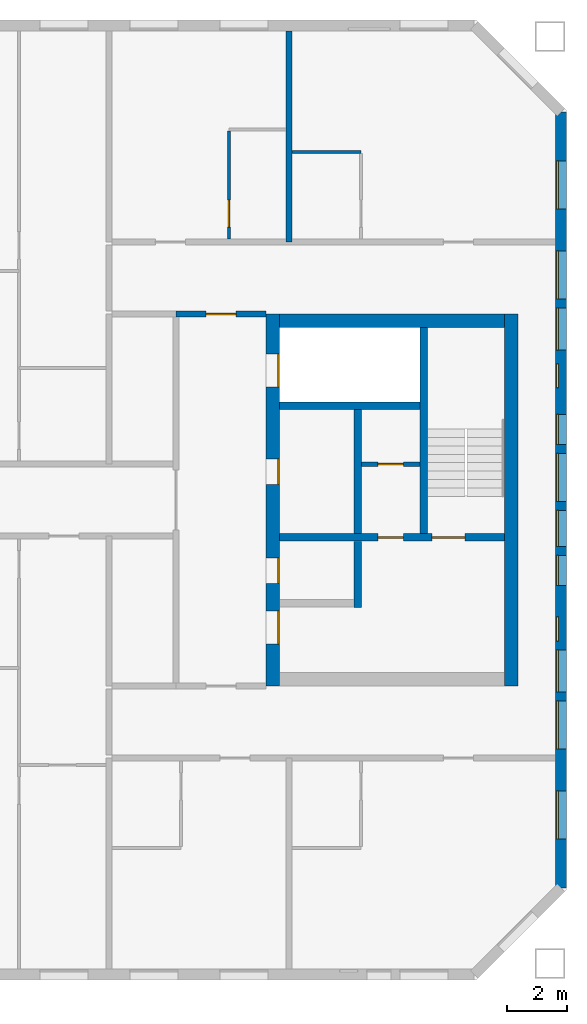
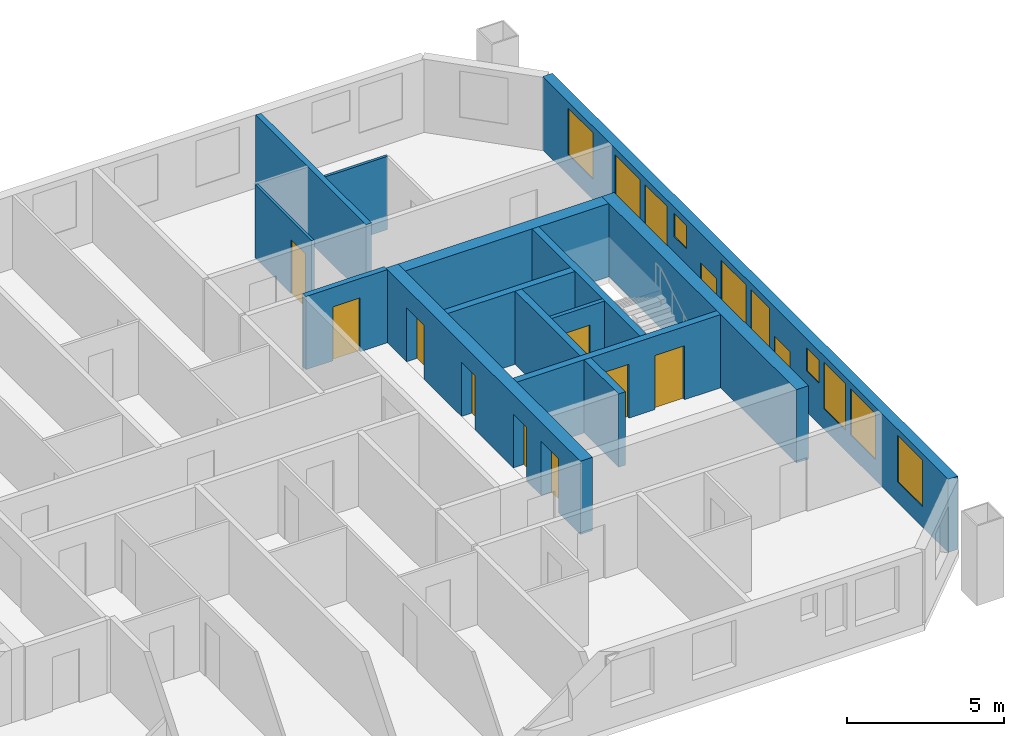
# One storey, part 13 of 16: 14 walls, 12 windows, 9 doors, 21 openings.
"""IFC4 building model written with IfcOpenShell, lengths in metres."""

from ifc_helpers import new_model, si_unit, direction, frame, frame_2d, origin, place, context, subcontext, project, spatial, rectangle, extrude, material, layer, layer_set, type_object, element, fill, save


model = new_model("IFC4")

# Units and contexts
model_context = context("Model", 3, precision=1e-05, world=origin(), true_north=direction((0.0, 1.0)))
body_context = subcontext(model_context, "Body", "Model", "MODEL_VIEW")
ifc_project = project(units=[si_unit("LENGTHUNIT", "METRE"), si_unit("AREAUNIT", "SQUARE_METRE"), si_unit("VOLUMEUNIT", "CUBIC_METRE"), si_unit("PLANEANGLEUNIT", "RADIAN"), si_unit("MASSUNIT", "GRAM", prefix="KILO")], contexts=[model_context])

# Site, building, storey
site_placement = place(None, origin())
site = spatial("IfcSite", under=ifc_project, at=site_placement, CompositionType="ELEMENT")
building_placement = place(site_placement, origin())
building = spatial("IfcBuilding", under=site, at=building_placement, Name="Tuart Gate Housing", CompositionType="ELEMENT")
storey_placement = place(building_placement, frame((0.0, 0.0, 178.89990234375)))
storey = spatial("IfcBuildingStorey", under=building, at=storey_placement, Name="L50", CompositionType="ELEMENT", Elevation=178.89990234375)

# Wall, openings, windows
ifc_material_1 = material(Name="Brick", Category="masonry")
ifc_layer_1 = layer(ifc_material_1, 0.360107421875)
ifc_layer_set_1 = layer_set([ifc_layer_1], Name="Brick pier and spandrel wall 360")
wall_type_1 = type_object("IfcWallType", Name="Brick pier and spandrel wall 360", PredefinedType="STANDARD", material=ifc_layer_set_1)
wall_1_placement = place(storey_placement, frame((170.070068359375, 57.07470703125, 0.0), z_axis=(0.0, 0.0, 1.0), x_axis=(0.0, 1.0, 0.0)))
wall_1 = element("IfcWall", 1, at=wall_1_placement, inside=storey, type_object=wall_type_1, Name="External wall B-E L50", PredefinedType="STANDARD", context=body_context, shape_type="SweptSolid", body=[
    extrude(rectangle(XDim=25.850830078125, YDim=0.360107421875, at=frame_2d((12.92529296875, 0.0))), origin(), (0.0, 0.0, 1.0), 2.85009765625),
])
opening_1_placement = place(wall_1_placement, frame((1.62548828125, 0.0, 0.800048828125)))
opening_1 = element("IfcOpeningElement", 2, at=opening_1_placement, cuts=wall_1, Name="Opening W1", PredefinedType="OPENING", context=body_context, shape_type="SweptSolid", body=[
    extrude(rectangle(XDim=1.60009765625, YDim=1.800048828125, at=frame_2d((0.800048828125, 0.89990234375))), frame((0.0, 0.18994140625, 0.0), z_axis=(0.0, -1.0, 0.0), x_axis=(1.0, 0.0, 0.0)), (0.0, 0.0, 1.0), 0.380126953125),
])
opening_2_placement = place(wall_1_placement, frame((4.62548828125, 0.0, 0.800048828125)))
opening_2 = element("IfcOpeningElement", 3, at=opening_2_placement, cuts=wall_1, Name="Opening W1", PredefinedType="OPENING", context=body_context, shape_type="SweptSolid", body=[
    extrude(rectangle(XDim=1.60009765625, YDim=1.800048828125, at=frame_2d((0.800048828125, 0.89990234375))), frame((0.0, 0.18994140625, 0.0), z_axis=(0.0, -1.0, 0.0), x_axis=(1.0, 0.0, 0.0)), (0.0, 0.0, 1.0), 0.380126953125),
])
opening_3_placement = place(wall_1_placement, frame((6.525390625, 0.0, 0.800048828125)))
opening_3 = element("IfcOpeningElement", 4, at=opening_3_placement, cuts=wall_1, Name="Opening W1A", PredefinedType="OPENING", context=body_context, shape_type="SweptSolid", body=[
    extrude(rectangle(XDim=1.39990234375, YDim=1.800048828125, at=frame_2d((0.699951171875, 0.89990234375))), frame((0.0, 0.18994140625, 0.0), z_axis=(0.0, -1.0, 0.0), x_axis=(1.0, 0.0, 0.0)), (0.0, 0.0, 1.0), 0.380126953125),
])
opening_4_placement = place(wall_1_placement, frame((8.225341796875, 0.0, 1.60009765625)))
opening_4 = element("IfcOpeningElement", 5, at=opening_4_placement, cuts=wall_1, Name="Opening W1V", PredefinedType="OPENING", context=body_context, shape_type="SweptSolid", body=[
    extrude(rectangle(XDim=0.800048828125, YDim=0.89990234375, at=frame_2d((0.39990234375, 0.449951171875))), frame((0.0, 0.18994140625, 0.0), z_axis=(0.0, -1.0, 0.0), x_axis=(1.0, 0.0, 0.0)), (0.0, 0.0, 1.0), 0.380126953125),
])
opening_5_placement = place(wall_1_placement, frame((10.075439453125, 0.0, 0.800048828125)))
opening_5 = element("IfcOpeningElement", 6, at=opening_5_placement, cuts=wall_1, Name="Opening W1U", PredefinedType="OPENING", context=body_context, shape_type="SweptSolid", body=[
    extrude(rectangle(XDim=1.0, YDim=0.89990234375, at=frame_2d((0.5, 0.449951171875))), frame((0.0, 0.18994140625, 0.0), z_axis=(0.0, -1.0, 0.0), x_axis=(1.0, 0.0, 0.0)), (0.0, 0.0, 1.0), 0.380126953125),
])
opening_6_placement = place(wall_1_placement, frame((11.37548828125, 0.0, 0.800048828125)))
opening_6 = element("IfcOpeningElement", 7, at=opening_6_placement, cuts=wall_1, Name="Opening W1B", PredefinedType="OPENING", context=body_context, shape_type="SweptSolid", body=[
    extrude(rectangle(XDim=1.199951171875, YDim=1.800048828125, at=frame_2d((0.60009765625, 0.89990234375))), frame((0.0, 0.18994140625, 0.0), z_axis=(0.0, -1.0, 0.0), x_axis=(1.0, 0.0, 0.0)), (0.0, 0.0, 1.0), 0.380126953125),
])
opening_7_placement = place(wall_1_placement, frame((19.62548828125, 0.0, 0.800048828125)))
opening_7 = element("IfcOpeningElement", 8, at=opening_7_placement, cuts=wall_1, Name="Opening W1", PredefinedType="OPENING", context=body_context, shape_type="SweptSolid", body=[
    extrude(rectangle(XDim=1.60009765625, YDim=1.800048828125, at=frame_2d((0.800048828125, 0.89990234375))), frame((0.0, 0.18994140625, 0.0), z_axis=(0.0, -1.0, 0.0), x_axis=(1.0, 0.0, 0.0)), (0.0, 0.0, 1.0), 0.380126953125),
])
opening_8_placement = place(wall_1_placement, frame((22.62548828125, 0.0, 0.800048828125)))
opening_8 = element("IfcOpeningElement", 9, at=opening_8_placement, cuts=wall_1, Name="Opening W1", PredefinedType="OPENING", context=body_context, shape_type="SweptSolid", body=[
    extrude(rectangle(XDim=1.60009765625, YDim=1.800048828125, at=frame_2d((0.800048828125, 0.89990234375))), frame((0.0, 0.18994140625, 0.0), z_axis=(0.0, -1.0, 0.0), x_axis=(1.0, 0.0, 0.0)), (0.0, 0.0, 1.0), 0.380126953125),
])
opening_9_placement = place(wall_1_placement, frame((12.87548828125, 0.0, 0.800048828125)))
opening_9 = element("IfcOpeningElement", 10, at=opening_9_placement, cuts=wall_1, Name="Opening W1", PredefinedType="OPENING", context=body_context, shape_type="SweptSolid", body=[
    extrude(rectangle(XDim=1.60009765625, YDim=1.800048828125, at=frame_2d((0.800048828125, 0.89990234375))), frame((0.0, 0.18994140625, 0.0), z_axis=(0.0, -1.0, 0.0), x_axis=(1.0, 0.0, 0.0)), (0.0, 0.0, 1.0), 0.380126953125),
])
opening_10_placement = place(wall_1_placement, frame((14.775390625, 0.0, 0.800048828125)))
opening_10 = element("IfcOpeningElement", 11, at=opening_10_placement, cuts=wall_1, Name="Opening W1U", PredefinedType="OPENING", context=body_context, shape_type="SweptSolid", body=[
    extrude(rectangle(XDim=1.0, YDim=0.89990234375, at=frame_2d((0.5, 0.449951171875))), frame((0.0, 0.18994140625, 0.0), z_axis=(0.0, -1.0, 0.0), x_axis=(1.0, 0.0, 0.0)), (0.0, 0.0, 1.0), 0.380126953125),
])
opening_11_placement = place(wall_1_placement, frame((16.67529296875, 0.0, 1.699951171875)))
opening_11 = element("IfcOpeningElement", 12, at=opening_11_placement, cuts=wall_1, Name="Opening W1V", PredefinedType="OPENING", context=body_context, shape_type="SweptSolid", body=[
    extrude(rectangle(XDim=0.800048828125, YDim=0.89990234375, at=frame_2d((0.39990234375, 0.449951171875))), frame((0.0, 0.18994140625, 0.0), z_axis=(0.0, -1.0, 0.0), x_axis=(1.0, 0.0, 0.0)), (0.0, 0.0, 1.0), 0.380126953125),
])
opening_12_placement = place(wall_1_placement, frame((17.92529296875, 0.0, 0.800048828125)))
opening_12 = element("IfcOpeningElement", 13, at=opening_12_placement, cuts=wall_1, Name="Opening W1A", PredefinedType="OPENING", context=body_context, shape_type="SweptSolid", body=[
    extrude(rectangle(XDim=1.39990234375, YDim=1.800048828125, at=frame_2d((0.699951171875, 0.89990234375))), frame((0.0, 0.18994140625, 0.0), z_axis=(0.0, -1.0, 0.0), x_axis=(1.0, 0.0, 0.0)), (0.0, 0.0, 1.0), 0.380126953125),
])
ifc_material_2 = material(Name="Aluminium frame with clear glass", Category="aluminium")
window_type_1 = type_object("IfcWindowType", Name="Punched window 1000 x 900", PartitioningType="SINGLE_PANEL", PredefinedType="WINDOW", material=ifc_material_2)
window_1_placement = place(opening_5_placement, origin())
window_1 = element("IfcWindow", 14, at=window_1_placement, inside=storey, type_object=window_type_1, Name="Window W1U", OverallHeight=0.89990234375, OverallWidth=1.0, PartitioningType="SINGLE_PANEL", PredefinedType="WINDOW", context=body_context, shape_type="SweptSolid", body=[
    extrude(rectangle(XDim=1.0, YDim=0.89990234375, at=frame_2d((0.5, 0.449951171875))), frame((0.0, 0.150146484375, 0.0), z_axis=(0.0, -1.0, 0.0), x_axis=(1.0, 0.0, 0.0)), (0.0, 0.0, 1.0), 0.06005859375),
])
fill(opening_5, window_1)
window_2_placement = place(opening_10_placement, origin())
window_2 = element("IfcWindow", 15, at=window_2_placement, inside=storey, type_object=window_type_1, Name="Window W1U", OverallHeight=0.89990234375, OverallWidth=1.0, PartitioningType="SINGLE_PANEL", PredefinedType="WINDOW", context=body_context, shape_type="SweptSolid", body=[
    extrude(rectangle(XDim=1.0, YDim=0.89990234375, at=frame_2d((0.5, 0.449951171875))), frame((0.0, 0.150146484375, 0.0), z_axis=(0.0, -1.0, 0.0), x_axis=(1.0, 0.0, 0.0)), (0.0, 0.0, 1.0), 0.06005859375),
])
fill(opening_10, window_2)
ifc_material_3 = material(Name="Aluminium frame with clear glass", Category="aluminium")
window_type_2 = type_object("IfcWindowType", Name="Punched window 1200 x 1800", PartitioningType="SINGLE_PANEL", PredefinedType="WINDOW", material=ifc_material_3)
window_3_placement = place(opening_6_placement, origin())
window_3 = element("IfcWindow", 16, at=window_3_placement, inside=storey, type_object=window_type_2, Name="Window W1B", OverallHeight=1.800048828125, OverallWidth=1.199951171875, PartitioningType="SINGLE_PANEL", PredefinedType="WINDOW", context=body_context, shape_type="SweptSolid", body=[
    extrude(rectangle(XDim=1.199951171875, YDim=1.800048828125, at=frame_2d((0.60009765625, 0.89990234375))), frame((0.0, 0.150146484375, 0.0), z_axis=(0.0, -1.0, 0.0), x_axis=(1.0, 0.0, 0.0)), (0.0, 0.0, 1.0), 0.06005859375),
])
fill(opening_6, window_3)
ifc_material_4 = material(Name="Aluminium frame with clear glass", Category="aluminium")
window_type_3 = type_object("IfcWindowType", Name="Punched window 1400 x 1800", PartitioningType="SINGLE_PANEL", PredefinedType="WINDOW", material=ifc_material_4)
window_4_placement = place(opening_3_placement, origin())
window_4 = element("IfcWindow", 17, at=window_4_placement, inside=storey, type_object=window_type_3, Name="Window W1A", OverallHeight=1.800048828125, OverallWidth=1.39990234375, PartitioningType="SINGLE_PANEL", PredefinedType="WINDOW", context=body_context, shape_type="SweptSolid", body=[
    extrude(rectangle(XDim=1.39990234375, YDim=1.800048828125, at=frame_2d((0.699951171875, 0.89990234375))), frame((0.0, 0.150146484375, 0.0), z_axis=(0.0, -1.0, 0.0), x_axis=(1.0, 0.0, 0.0)), (0.0, 0.0, 1.0), 0.06005859375),
])
fill(opening_3, window_4)
window_5_placement = place(opening_12_placement, origin())
window_5 = element("IfcWindow", 18, at=window_5_placement, inside=storey, type_object=window_type_3, Name="Window W1A", OverallHeight=1.800048828125, OverallWidth=1.39990234375, PartitioningType="SINGLE_PANEL", PredefinedType="WINDOW", context=body_context, shape_type="SweptSolid", body=[
    extrude(rectangle(XDim=1.39990234375, YDim=1.800048828125, at=frame_2d((0.699951171875, 0.89990234375))), frame((0.0, 0.150146484375, 0.0), z_axis=(0.0, -1.0, 0.0), x_axis=(1.0, 0.0, 0.0)), (0.0, 0.0, 1.0), 0.06005859375),
])
fill(opening_12, window_5)
ifc_material_5 = material(Name="Aluminium frame with clear glass", Category="aluminium")
window_type_4 = type_object("IfcWindowType", Name="Punched window 1600 x 1800", PartitioningType="SINGLE_PANEL", PredefinedType="WINDOW", material=ifc_material_5)
window_6_placement = place(opening_1_placement, origin())
window_6 = element("IfcWindow", 19, at=window_6_placement, inside=storey, type_object=window_type_4, Name="Window W1", OverallHeight=1.800048828125, OverallWidth=1.60009765625, PartitioningType="SINGLE_PANEL", PredefinedType="WINDOW", context=body_context, shape_type="SweptSolid", body=[
    extrude(rectangle(XDim=1.60009765625, YDim=1.800048828125, at=frame_2d((0.800048828125, 0.89990234375))), frame((0.0, 0.150146484375, 0.0), z_axis=(0.0, -1.0, 0.0), x_axis=(1.0, 0.0, 0.0)), (0.0, 0.0, 1.0), 0.06005859375),
])
fill(opening_1, window_6)
window_7_placement = place(opening_2_placement, origin())
window_7 = element("IfcWindow", 20, at=window_7_placement, inside=storey, type_object=window_type_4, Name="Window W1", OverallHeight=1.800048828125, OverallWidth=1.60009765625, PartitioningType="SINGLE_PANEL", PredefinedType="WINDOW", context=body_context, shape_type="SweptSolid", body=[
    extrude(rectangle(XDim=1.60009765625, YDim=1.800048828125, at=frame_2d((0.800048828125, 0.89990234375))), frame((0.0, 0.150146484375, 0.0), z_axis=(0.0, -1.0, 0.0), x_axis=(1.0, 0.0, 0.0)), (0.0, 0.0, 1.0), 0.06005859375),
])
fill(opening_2, window_7)
window_8_placement = place(opening_7_placement, origin())
window_8 = element("IfcWindow", 21, at=window_8_placement, inside=storey, type_object=window_type_4, Name="Window W1", OverallHeight=1.800048828125, OverallWidth=1.60009765625, PartitioningType="SINGLE_PANEL", PredefinedType="WINDOW", context=body_context, shape_type="SweptSolid", body=[
    extrude(rectangle(XDim=1.60009765625, YDim=1.800048828125, at=frame_2d((0.800048828125, 0.89990234375))), frame((0.0, 0.150146484375, 0.0), z_axis=(0.0, -1.0, 0.0), x_axis=(1.0, 0.0, 0.0)), (0.0, 0.0, 1.0), 0.06005859375),
])
fill(opening_7, window_8)
window_9_placement = place(opening_8_placement, origin())
window_9 = element("IfcWindow", 22, at=window_9_placement, inside=storey, type_object=window_type_4, Name="Window W1", OverallHeight=1.800048828125, OverallWidth=1.60009765625, PartitioningType="SINGLE_PANEL", PredefinedType="WINDOW", context=body_context, shape_type="SweptSolid", body=[
    extrude(rectangle(XDim=1.60009765625, YDim=1.800048828125, at=frame_2d((0.800048828125, 0.89990234375))), frame((0.0, 0.150146484375, 0.0), z_axis=(0.0, -1.0, 0.0), x_axis=(1.0, 0.0, 0.0)), (0.0, 0.0, 1.0), 0.06005859375),
])
fill(opening_8, window_9)
window_10_placement = place(opening_9_placement, origin())
window_10 = element("IfcWindow", 23, at=window_10_placement, inside=storey, type_object=window_type_4, Name="Window W1", OverallHeight=1.800048828125, OverallWidth=1.60009765625, PartitioningType="SINGLE_PANEL", PredefinedType="WINDOW", context=body_context, shape_type="SweptSolid", body=[
    extrude(rectangle(XDim=1.60009765625, YDim=1.800048828125, at=frame_2d((0.800048828125, 0.89990234375))), frame((0.0, 0.150146484375, 0.0), z_axis=(0.0, -1.0, 0.0), x_axis=(1.0, 0.0, 0.0)), (0.0, 0.0, 1.0), 0.06005859375),
])
fill(opening_9, window_10)
ifc_material_6 = material(Name="Aluminium frame with clear glass", Category="aluminium")
window_type_5 = type_object("IfcWindowType", Name="Punched window 800 x 900", PartitioningType="SINGLE_PANEL", PredefinedType="WINDOW", material=ifc_material_6)
window_11_placement = place(opening_4_placement, origin())
window_11 = element("IfcWindow", 24, at=window_11_placement, inside=storey, type_object=window_type_5, Name="Window W1V", OverallHeight=0.89990234375, OverallWidth=0.800048828125, PartitioningType="SINGLE_PANEL", PredefinedType="WINDOW", context=body_context, shape_type="SweptSolid", body=[
    extrude(rectangle(XDim=0.800048828125, YDim=0.89990234375, at=frame_2d((0.39990234375, 0.449951171875))), frame((0.0, 0.150146484375, 0.0), z_axis=(0.0, -1.0, 0.0), x_axis=(1.0, 0.0, 0.0)), (0.0, 0.0, 1.0), 0.06005859375),
])
fill(opening_4, window_11)
window_12_placement = place(opening_11_placement, origin())
window_12 = element("IfcWindow", 25, at=window_12_placement, inside=storey, type_object=window_type_5, Name="Window W1V", OverallHeight=0.89990234375, OverallWidth=0.800048828125, PartitioningType="SINGLE_PANEL", PredefinedType="WINDOW", context=body_context, shape_type="SweptSolid", body=[
    extrude(rectangle(XDim=0.800048828125, YDim=0.89990234375, at=frame_2d((0.39990234375, 0.449951171875))), frame((0.0, 0.150146484375, 0.0), z_axis=(0.0, -1.0, 0.0), x_axis=(1.0, 0.0, 0.0)), (0.0, 0.0, 1.0), 0.06005859375),
])
fill(opening_11, window_12)

# Wall, opening, door
ifc_material_7 = material(Name="Plasterboard partition")
ifc_layer_2 = layer(ifc_material_7, 0.14990234375)
ifc_layer_set_2 = layer_set([ifc_layer_2], Name="Core partition 150")
wall_type_2 = type_object("IfcWallType", Name="Core partition 150", PredefinedType="PARTITIONING", material=ifc_layer_set_2)
wall_2_placement = place(storey_placement, frame((163.4150390625, 71.199951171875, 0.0), z_axis=(0.0, 0.0, 1.0), x_axis=(1.0, 0.0, 0.0)))
wall_2 = element("IfcWall", 26, at=wall_2_placement, inside=storey, type_object=wall_type_2, Name="Core partition BK.2", PredefinedType="PARTITIONING", context=body_context, shape_type="SweptSolid", body=[
    extrude(rectangle(XDim=1.949951171875, YDim=0.14990234375, at=frame_2d((0.97509765625, 0.0))), origin(), (0.0, 0.0, 1.0), 2.85009765625),
])
opening_13_placement = place(wall_2_placement, frame((0.550048828125, 0.0, 0.0)))
opening_13 = element("IfcOpeningElement", 27, at=opening_13_placement, cuts=wall_2, Name="Opening D1812", PredefinedType="OPENING", context=body_context, shape_type="SweptSolid", body=[
    extrude(rectangle(XDim=0.85009765625, YDim=2.10009765625, at=frame_2d((0.425048828125, 1.050048828125))), frame((0.0, 0.0849609375, 0.0), z_axis=(0.0, -1.0, 0.0), x_axis=(1.0, 0.0, 0.0)), (0.0, 0.0, 1.0), 0.169921875),
])
ifc_material_8 = material(Name="Steel fire door", Category="steel")
door_type_1 = type_object("IfcDoorType", Name="Service door 850 x 2100 RH", OperationType="SINGLE_SWING_RIGHT", PredefinedType="DOOR", material=ifc_material_8)
door_1_placement = place(opening_13_placement, frame((0.85009765625, 0.0, 0.0), z_axis=(0.0, 0.0, 1.0), x_axis=(-1.0, 0.0, 0.0)))
door_1 = element("IfcDoor", 28, at=door_1_placement, inside=storey, type_object=door_type_1, Name="Service room door BK.W2", OperationType="SINGLE_SWING_RIGHT", OverallHeight=2.10009765625, OverallWidth=0.85009765625, PredefinedType="DOOR", context=body_context, shape_type="SweptSolid", body=[
    extrude(rectangle(XDim=0.85009765625, YDim=2.10009765625, at=frame_2d((0.425048828125, 1.050048828125))), frame((0.0, 0.025146484375, 0.0), z_axis=(0.0, -1.0, 0.0), x_axis=(1.0, 0.0, 0.0)), (0.0, 0.0, 1.0), 0.050048828125),
])
fill(opening_13, door_1)

# Wall
ifc_material_9 = material(Name="Concrete C40", Category="concrete")
ifc_layer_3 = layer(ifc_material_9, 0.25)
ifc_layer_set_3 = layer_set([ifc_layer_3], Name="Core wall 250 C40")
wall_type_3 = type_object("IfcWallType", Name="Core wall 250 C40", PredefinedType="SHEAR", material=ifc_layer_set_3)
wall_3_placement = place(storey_placement, frame((160.68994140625, 73.14990234375, 0.0), z_axis=(0.0, 0.0, 1.0), x_axis=(1.0, 0.0, 0.0)))
element("IfcWall", 29, at=wall_3_placement, inside=storey, type_object=wall_type_3, Name="Core wall BK.1", PredefinedType="SHEAR", context=body_context, shape_type="SweptSolid", body=[
    extrude(rectangle(XDim=4.675048828125, YDim=0.25, at=frame_2d((2.33740234375, 0.0))), origin(), (0.0, 0.0, 1.0), 2.85009765625),
])

# Wall, openings, doors
wall_4_placement = place(storey_placement, frame((160.68994140625, 68.75, 0.0), z_axis=(0.0, 0.0, 1.0), x_axis=(1.0, 0.0, 0.0)))
wall_4 = element("IfcWall", 30, at=wall_4_placement, inside=storey, type_object=wall_type_3, Name="Core wall BK.3", PredefinedType="SHEAR", context=body_context, shape_type="SweptSolid", body=[
    extrude(rectangle(XDim=7.5, YDim=0.25, at=frame_2d((3.75, 0.0))), origin(), (0.0, 0.0, 1.0), 2.85009765625),
])
opening_14_placement = place(wall_4_placement, frame((5.074951171875, 0.0, 0.0)))
opening_14 = element("IfcOpeningElement", 31, at=opening_14_placement, cuts=wall_4, Name="Opening D1823", PredefinedType="OPENING", context=body_context, shape_type="SweptSolid", body=[
    extrude(rectangle(XDim=1.10009765625, YDim=2.10009765625, at=frame_2d((0.550048828125, 1.050048828125))), frame((0.0, 0.135009765625, 0.0), z_axis=(0.0, -1.0, 0.0), x_axis=(1.0, 0.0, 0.0)), (0.0, 0.0, 1.0), 0.27001953125),
])
opening_15_placement = place(wall_4_placement, frame((3.27490234375, 0.0, 0.0)))
opening_15 = element("IfcOpeningElement", 32, at=opening_15_placement, cuts=wall_4, Name="Opening D1822", PredefinedType="OPENING", context=body_context, shape_type="SweptSolid", body=[
    extrude(rectangle(XDim=0.85009765625, YDim=2.10009765625, at=frame_2d((0.425048828125, 1.050048828125))), frame((0.0, 0.135009765625, 0.0), z_axis=(0.0, -1.0, 0.0), x_axis=(1.0, 0.0, 0.0)), (0.0, 0.0, 1.0), 0.27001953125),
])
ifc_material_10 = material(Name="Steel fire door", Category="steel")
door_type_2 = type_object("IfcDoorType", Name="Riser door 850 x 2100", OperationType="SINGLE_SWING_LEFT", PredefinedType="DOOR", material=ifc_material_10)
door_2_placement = place(opening_15_placement, origin())
door_2 = element("IfcDoor", 33, at=door_2_placement, inside=storey, type_object=door_type_2, Name="Service room door BK.W1", OperationType="SINGLE_SWING_LEFT", OverallHeight=2.10009765625, OverallWidth=0.85009765625, PredefinedType="DOOR", context=body_context, shape_type="SweptSolid", body=[
    extrude(rectangle(XDim=0.85009765625, YDim=2.10009765625, at=frame_2d((0.425048828125, 1.050048828125))), frame((0.0, 0.02490234375, 0.0), z_axis=(0.0, -1.0, 0.0), x_axis=(1.0, 0.0, 0.0)), (0.0, 0.0, 1.0), 0.050048828125),
])
fill(opening_15, door_2)
ifc_material_11 = material(Name="Steel fire door", Category="steel")
door_type_3 = type_object("IfcDoorType", Name="Stair door 1100 x 2100", OperationType="SINGLE_SWING_LEFT", PredefinedType="DOOR", material=ifc_material_11)
door_3_placement = place(opening_14_placement, origin())
door_3 = element("IfcDoor", 34, at=door_3_placement, inside=storey, type_object=door_type_3, Name="Stair door BK.SD", OperationType="SINGLE_SWING_LEFT", OverallHeight=2.10009765625, OverallWidth=1.10009765625, PredefinedType="DOOR", context=body_context, shape_type="SweptSolid", body=[
    extrude(rectangle(XDim=1.10009765625, YDim=2.10009765625, at=frame_2d((0.550048828125, 1.050048828125))), frame((0.0, 0.02490234375, 0.0), z_axis=(0.0, -1.0, 0.0), x_axis=(1.0, 0.0, 0.0)), (0.0, 0.0, 1.0), 0.050048828125),
])
fill(opening_14, door_3)

# Walls
wall_5_placement = place(storey_placement, frame((163.2900390625, 73.02490234375, 0.0), z_axis=(0.0, 0.0, 1.0), x_axis=(0.0, -1.0, 0.0)))
element("IfcWall", 35, at=wall_5_placement, inside=storey, type_object=wall_type_3, Name="Core wall BK.5", PredefinedType="SHEAR", context=body_context, shape_type="SweptSolid", body=[
    extrude(rectangle(XDim=4.14990234375, YDim=0.25, at=frame_2d((2.074951171875, 0.0))), origin(), (0.0, 0.0, 1.0), 2.85009765625),
])
wall_6_placement = place(storey_placement, frame((163.2900390625, 68.625, 0.0), z_axis=(0.0, 0.0, 1.0), x_axis=(0.0, -1.0, 0.0)))
element("IfcWall", 36, at=wall_6_placement, inside=storey, type_object=wall_type_3, Name="Core wall BK.6", PredefinedType="SHEAR", context=body_context, shape_type="SweptSolid", body=[
    extrude(rectangle(XDim=2.199951171875, YDim=0.25, at=frame_2d((1.10009765625, 0.0))), origin(), (0.0, 0.0, 1.0), 2.85009765625),
])
wall_7_placement = place(storey_placement, frame((165.489990234375, 75.75, 0.0), z_axis=(0.0, 0.0, 1.0), x_axis=(0.0, -1.0, 0.0)))
element("IfcWall", 37, at=wall_7_placement, inside=storey, type_object=wall_type_3, Name="Core wall BK.7", PredefinedType="SHEAR", context=body_context, shape_type="SweptSolid", body=[
    extrude(rectangle(XDim=6.875, YDim=0.25, at=frame_2d((3.4375, 0.0))), origin(), (0.0, 0.0, 1.0), 2.85009765625),
])

# Wall, openings, doors
ifc_material_12 = material(Name="Concrete C40", Category="concrete")
ifc_layer_4 = layer(ifc_material_12, 0.449951171875)
ifc_layer_set_4 = layer_set([ifc_layer_4], Name="Core wall 450 C40")
wall_type_4 = type_object("IfcWallType", Name="Core wall 450 C40", PredefinedType="SHEAR", material=ifc_layer_set_4)
wall_8_placement = place(storey_placement, frame((160.465087890625, 76.199951171875, 0.0), z_axis=(0.0, 0.0, 1.0), x_axis=(0.0, -1.0, 0.0)))
wall_8 = element("IfcWall", 38, at=wall_8_placement, inside=storey, type_object=wall_type_4, Name="Core wall BK front", PredefinedType="SHEAR", context=body_context, shape_type="SweptSolid", body=[
    extrude(rectangle(XDim=12.39990234375, YDim=0.449951171875, at=frame_2d((6.199951171875, 0.0))), origin(), (0.0, 0.0, 1.0), 2.85009765625),
])
opening_16_placement = place(wall_8_placement, frame((1.324951171875, 0.0, 0.0)))
opening_16 = element("IfcOpeningElement", 39, at=opening_16_placement, cuts=wall_8, Name="Opening LD-FB2", PredefinedType="OPENING", context=body_context, shape_type="SweptSolid", body=[
    extrude(rectangle(XDim=1.10009765625, YDim=2.10009765625, at=frame_2d((0.550048828125, 1.050048828125))), frame((0.0, 0.23486328125, 0.0), z_axis=(0.0, -1.0, 0.0), x_axis=(1.0, 0.0, 0.0)), (0.0, 0.0, 1.0), 0.469970703125),
])
opening_17_placement = place(wall_8_placement, frame((4.824951171875, 0.0, 0.0)))
opening_17 = element("IfcOpeningElement", 40, at=opening_17_placement, cuts=wall_8, Name="Opening D1818", PredefinedType="OPENING", context=body_context, shape_type="SweptSolid", body=[
    extrude(rectangle(XDim=0.85009765625, YDim=2.10009765625, at=frame_2d((0.425048828125, 1.050048828125))), frame((0.0, 0.23486328125, 0.0), z_axis=(0.0, -1.0, 0.0), x_axis=(1.0, 0.0, 0.0)), (0.0, 0.0, 1.0), 0.469970703125),
])
opening_18_placement = place(wall_8_placement, frame((9.89990234375, 0.0, 0.0)))
opening_18 = element("IfcOpeningElement", 41, at=opening_18_placement, cuts=wall_8, Name="Opening D1817", PredefinedType="OPENING", context=body_context, shape_type="SweptSolid", body=[
    extrude(rectangle(XDim=1.10009765625, YDim=2.10009765625, at=frame_2d((0.550048828125, 1.050048828125))), frame((0.0, 0.23486328125, 0.0), z_axis=(0.0, -1.0, 0.0), x_axis=(1.0, 0.0, 0.0)), (0.0, 0.0, 1.0), 0.469970703125),
])
opening_19_placement = place(wall_8_placement, frame((8.125, 0.0, 0.0)))
opening_19 = element("IfcOpeningElement", 42, at=opening_19_placement, cuts=wall_8, Name="Opening D1819", PredefinedType="OPENING", context=body_context, shape_type="SweptSolid", body=[
    extrude(rectangle(XDim=0.85009765625, YDim=2.10009765625, at=frame_2d((0.425048828125, 1.050048828125))), frame((0.0, 0.23486328125, 0.0), z_axis=(0.0, -1.0, 0.0), x_axis=(1.0, 0.0, 0.0)), (0.0, 0.0, 1.0), 0.469970703125),
])
ifc_material_13 = material(Name="Stainless steel", Category="steel")
door_type_4 = type_object("IfcDoorType", Name="Landing door 1100 x 2100", OperationType="DOUBLE_DOOR_SLIDING", PredefinedType="DOOR", material=ifc_material_13)
door_4_placement = place(opening_16_placement, origin())
door_4 = element("IfcDoor", 43, at=door_4_placement, inside=storey, type_object=door_type_4, Name="Lift landing door FB2", OperationType="DOUBLE_DOOR_SLIDING", OverallHeight=2.10009765625, OverallWidth=1.10009765625, PredefinedType="DOOR", context=body_context, shape_type="SweptSolid", body=[
    extrude(rectangle(XDim=1.10009765625, YDim=2.10009765625, at=frame_2d((0.550048828125, 1.050048828125))), frame((0.0, 0.2099609375, 0.0), z_axis=(0.0, -1.0, 0.0), x_axis=(1.0, 0.0, 0.0)), (0.0, 0.0, 1.0), 0.050048828125),
])
fill(opening_16, door_4)
ifc_material_14 = material(Name="Steel fire door", Category="steel")
door_type_5 = type_object("IfcDoorType", Name="Lobby door 1100 x 2100", OperationType="SINGLE_SWING_LEFT", PredefinedType="DOOR", material=ifc_material_14)
door_5_placement = place(opening_18_placement, origin())
door_5 = element("IfcDoor", 44, at=door_5_placement, inside=storey, type_object=door_type_5, Name="Lobby entry door BK.EN", OperationType="SINGLE_SWING_LEFT", OverallHeight=2.10009765625, OverallWidth=1.10009765625, PredefinedType="DOOR", context=body_context, shape_type="SweptSolid", body=[
    extrude(rectangle(XDim=1.10009765625, YDim=2.10009765625, at=frame_2d((0.550048828125, 1.050048828125))), frame((0.0, 0.2099609375, 0.0), z_axis=(0.0, -1.0, 0.0), x_axis=(1.0, 0.0, 0.0)), (0.0, 0.0, 1.0), 0.050048828125),
])
fill(opening_18, door_5)
ifc_material_15 = material(Name="Steel fire door", Category="steel")
door_type_6 = type_object("IfcDoorType", Name="Service door 850 x 2100", OperationType="SINGLE_SWING_LEFT", PredefinedType="DOOR", material=ifc_material_15)
door_6_placement = place(opening_17_placement, origin())
door_6 = element("IfcDoor", 45, at=door_6_placement, inside=storey, type_object=door_type_6, Name="Service room door BK.FR1", OperationType="SINGLE_SWING_LEFT", OverallHeight=2.10009765625, OverallWidth=0.85009765625, PredefinedType="DOOR", context=body_context, shape_type="SweptSolid", body=[
    extrude(rectangle(XDim=0.85009765625, YDim=2.10009765625, at=frame_2d((0.425048828125, 1.050048828125))), frame((0.0, 0.2099609375, 0.0), z_axis=(0.0, -1.0, 0.0), x_axis=(1.0, 0.0, 0.0)), (0.0, 0.0, 1.0), 0.050048828125),
])
fill(opening_17, door_6)
door_7_placement = place(opening_19_placement, origin())
door_7 = element("IfcDoor", 46, at=door_7_placement, inside=storey, type_object=door_type_6, Name="Service room door BK.T1", OperationType="SINGLE_SWING_LEFT", OverallHeight=2.10009765625, OverallWidth=0.85009765625, PredefinedType="DOOR", context=body_context, shape_type="SweptSolid", body=[
    extrude(rectangle(XDim=0.85009765625, YDim=2.10009765625, at=frame_2d((0.425048828125, 1.050048828125))), frame((0.0, 0.2099609375, 0.0), z_axis=(0.0, -1.0, 0.0), x_axis=(1.0, 0.0, 0.0)), (0.0, 0.0, 1.0), 0.050048828125),
])
fill(opening_19, door_7)

# Walls
wall_9_placement = place(storey_placement, frame((168.4150390625, 76.199951171875, 0.0), z_axis=(0.0, 0.0, 1.0), x_axis=(0.0, -1.0, 0.0)))
element("IfcWall", 47, at=wall_9_placement, inside=storey, type_object=wall_type_4, Name="Core wall BK back", PredefinedType="SHEAR", context=body_context, shape_type="SweptSolid", body=[
    extrude(rectangle(XDim=12.39990234375, YDim=0.449951171875, at=frame_2d((6.199951171875, 0.0))), origin(), (0.0, 0.0, 1.0), 2.85009765625),
])
wall_10_placement = place(storey_placement, frame((160.68994140625, 75.97509765625, 0.0), z_axis=(0.0, 0.0, 1.0), x_axis=(1.0, 0.0, 0.0)))
element("IfcWall", 48, at=wall_10_placement, inside=storey, type_object=wall_type_4, Name="Core wall BK south", PredefinedType="SHEAR", context=body_context, shape_type="SweptSolid", body=[
    extrude(rectangle(XDim=7.5, YDim=0.449951171875, at=frame_2d((3.75, 0.0))), origin(), (0.0, 0.0, 1.0), 2.85009765625),
])

# Wall, opening, door
ifc_material_16 = material(Name="Concrete masonry 15 MPa", Category="masonry")
ifc_layer_5 = layer(ifc_material_16, 0.199951171875)
ifc_layer_set_5 = layer_set([ifc_layer_5], Name="Enclosure wall masonry 200")
wall_type_5 = type_object("IfcWallType", Name="Enclosure wall masonry 200", PredefinedType="PARTITIONING", material=ifc_layer_set_5)
wall_11_placement = place(storey_placement, frame((157.239990234375, 76.199951171875, 0.0), z_axis=(0.0, 0.0, 1.0), x_axis=(1.0, 0.0, 0.0)))
wall_11 = element("IfcWall", 49, at=wall_11_placement, inside=storey, type_object=wall_type_5, Name="Enclosure wall masonry 200", PredefinedType="PARTITIONING", context=body_context, shape_type="SweptSolid", body=[
    extrude(rectangle(XDim=3.0, YDim=0.199951171875, at=frame_2d((1.5, 0.0))), origin(), (0.0, 0.0, 1.0), 2.85009765625),
])
opening_20_placement = place(wall_11_placement, frame((1.0, 0.0, 0.0)))
opening_20 = element("IfcOpeningElement", 50, at=opening_20_placement, cuts=wall_11, Name="Opening D1806", PredefinedType="OPENING", context=body_context, shape_type="SweptSolid", body=[
    extrude(rectangle(XDim=1.0, YDim=2.10009765625, at=frame_2d((0.5, 1.050048828125))), frame((0.0, 0.10986328125, 0.0), z_axis=(0.0, -1.0, 0.0), x_axis=(1.0, 0.0, 0.0)), (0.0, 0.0, 1.0), 0.219970703125),
])
ifc_material_17 = material(Name="Timber door leaf in steel frame", Category="steel")
door_type_7 = type_object("IfcDoorType", Name="Fire door 1000", OperationType="SINGLE_SWING_LEFT", PredefinedType="DOOR", material=ifc_material_17)
door_8_placement = place(opening_20_placement, origin())
door_8 = element("IfcDoor", 51, at=door_8_placement, inside=storey, type_object=door_type_7, Name="Fire door", OperationType="SINGLE_SWING_LEFT", OverallHeight=2.10009765625, OverallWidth=1.0, PredefinedType="DOOR", context=body_context, shape_type="SweptSolid", body=[
    extrude(rectangle(XDim=1.0, YDim=2.10009765625, at=frame_2d((0.5, 1.050048828125))), frame((0.0, 0.02490234375, 0.0), z_axis=(0.0, -1.0, 0.0), x_axis=(1.0, 0.0, 0.0)), (0.0, 0.0, 1.0), 0.050048828125),
])
fill(opening_20, door_8)

# Wall
ifc_material_18 = material(Name="Gypsum board on steel studs", Category="steel")
ifc_layer_6 = layer(ifc_material_18, 0.10009765625)
ifc_layer_set_6 = layer_set([ifc_layer_6], Name="Partition 100")
wall_type_6 = type_object("IfcWallType", Name="Partition 100", PredefinedType="PARTITIONING", material=ifc_layer_set_6)
wall_12_placement = place(storey_placement, frame((161.10009765625, 81.60009765625, 0.0), z_axis=(0.0, 0.0, 1.0), x_axis=(1.0, 0.0, 0.0)))
element("IfcWall", 52, at=wall_12_placement, inside=storey, type_object=wall_type_6, Name="Partition 100", PredefinedType="PARTITIONING", context=body_context, shape_type="SweptSolid", body=[
    extrude(rectangle(XDim=2.2998046875, YDim=0.10009765625, at=frame_2d((1.14990234375, 0.0))), origin(), (0.0, 0.0, 1.0), 2.85009765625),
])

# Wall, opening, door
wall_13_placement = place(storey_placement, frame((159.0, 78.699951171875, 0.0), z_axis=(0.0, 0.0, 1.0), x_axis=(0.0, 1.0, 0.0)))
wall_13 = element("IfcWall", 53, at=wall_13_placement, inside=storey, type_object=wall_type_6, Name="Partition 100", PredefinedType="PARTITIONING", context=body_context, shape_type="SweptSolid", body=[
    extrude(rectangle(XDim=3.60009765625, YDim=0.10009765625, at=frame_2d((1.800048828125, 0.0))), origin(), (0.0, 0.0, 1.0), 2.85009765625),
])
opening_21_placement = place(wall_13_placement, frame((0.39990234375, 0.0, 0.0)))
opening_21 = element("IfcOpeningElement", 54, at=opening_21_placement, cuts=wall_13, Name="Opening D1793", PredefinedType="OPENING", context=body_context, shape_type="SweptSolid", body=[
    extrude(rectangle(XDim=0.89990234375, YDim=2.10009765625, at=frame_2d((0.449951171875, 1.050048828125))), frame((0.0, 0.06005859375, 0.0), z_axis=(0.0, -1.0, 0.0), x_axis=(1.0, 0.0, 0.0)), (0.0, 0.0, 1.0), 0.1201171875),
])
ifc_material_19 = material(Name="Timber door leaf in steel frame", Category="steel")
door_type_8 = type_object("IfcDoorType", Name="Bathroom door 900 RH", OperationType="SINGLE_SWING_RIGHT", PredefinedType="DOOR", material=ifc_material_19)
door_9_placement = place(opening_21_placement, frame((0.89990234375, 0.0, 0.0), z_axis=(0.0, 0.0, 1.0), x_axis=(-1.0, 0.0, 0.0)))
door_9 = element("IfcDoor", 55, at=door_9_placement, inside=storey, type_object=door_type_8, Name="Bathroom door", OperationType="SINGLE_SWING_RIGHT", OverallHeight=2.10009765625, OverallWidth=0.89990234375, PredefinedType="DOOR", context=body_context, shape_type="SweptSolid", body=[
    extrude(rectangle(XDim=0.89990234375, YDim=2.10009765625, at=frame_2d((0.449951171875, 1.050048828125))), frame((0.0, 0.025146484375, 0.0), z_axis=(0.0, -1.0, 0.0), x_axis=(1.0, 0.0, 0.0)), (0.0, 0.0, 1.0), 0.050048828125),
])
fill(opening_21, door_9)

# Wall
ifc_material_20 = material(Name="Concrete C40", Category="concrete")
ifc_layer_7 = layer(ifc_material_20, 0.199951171875)
ifc_layer_set_7 = layer_set([ifc_layer_7], Name="Party wall concrete C40 200")
wall_type_7 = type_object("IfcWallType", Name="Party wall concrete C40 200", PredefinedType="SOLIDWALL", material=ifc_layer_set_7)
wall_14_placement = place(storey_placement, frame((161.0, 78.60009765625, 0.0), z_axis=(0.0, 0.0, 1.0), x_axis=(0.0, 1.0, 0.0)))
element("IfcWall", 56, at=wall_14_placement, inside=storey, type_object=wall_type_7, Name="Party wall concrete C40 200", PredefinedType="SOLIDWALL", context=body_context, shape_type="SweptSolid", body=[
    extrude(rectangle(XDim=7.039794921875, YDim=0.199951171875, at=frame_2d((3.52001953125, 0.0))), origin(), (0.0, 0.0, 1.0), 2.85009765625),
])

save(model, "model.ifc")
